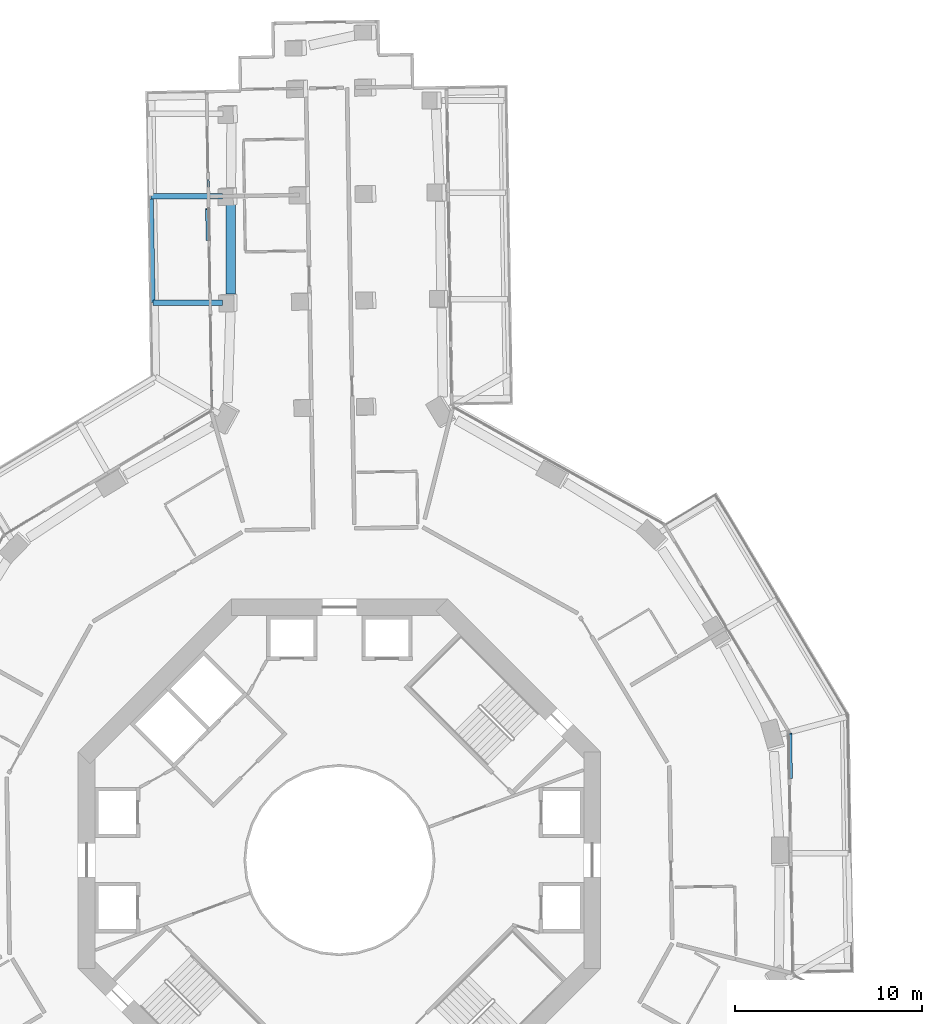
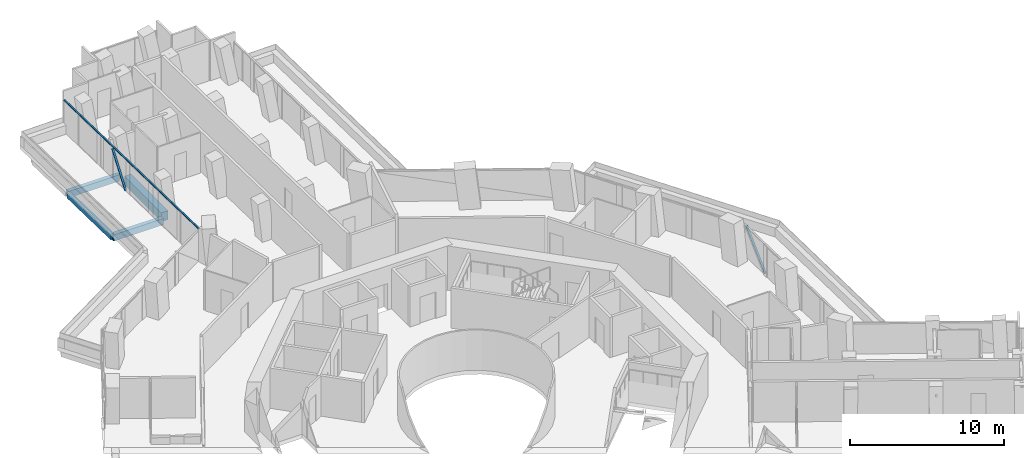
# One storey, part 8 of 25: 4 beams, 3 members, 2 elements without a shape of their own.
"""IFC4 building model written with IfcOpenShell, lengths in metres."""

from ifc_helpers import new_model, si_unit, direction, frame, origin, origin_2d, place, context, subcontext, project, spatial, rectangle, extrude, material, layer, layer_set, material_profile, profile_set, type_object, element, aggregate, save


model = new_model("IFC4")

# Units and contexts
model_context = context("Model", 3, precision=1e-05, world=origin(), true_north=direction((0.0, 1.0)))
body_context = subcontext(model_context, "Body", "Model", "MODEL_VIEW")
ifc_project = project(units=[si_unit("LENGTHUNIT", "METRE"), si_unit("AREAUNIT", "SQUARE_METRE"), si_unit("VOLUMEUNIT", "CUBIC_METRE"), si_unit("PLANEANGLEUNIT", "RADIAN"), si_unit("MASSUNIT", "GRAM", prefix="KILO")], contexts=[model_context])

# Site, building, storey
site_placement = place(None, origin())
site = spatial("IfcSite", under=ifc_project, at=site_placement, CompositionType="ELEMENT")
building_placement = place(site_placement, origin())
building = spatial("IfcBuilding", under=site, at=building_placement, Name="Verdalira Terraces Hotel", CompositionType="ELEMENT")
storey_placement = place(building_placement, frame((0.0, 0.0, 39.0)))
storey = spatial("IfcBuildingStorey", under=building, at=storey_placement, Name="L07", CompositionType="ELEMENT", Elevation=39.0)

# Beams
ifc_material_1 = material(Name="Concrete C40", Category="concrete")
ifc_material_profile_1 = material_profile(ifc_material_1, rectangle(XDim=0.300049, YDim=0.5, at=origin_2d()), Name="RC 300X500")
ifc_profile_set_1 = profile_set([ifc_material_profile_1], Name="Concrete C40")
beam_type_1 = type_object("IfcBeamType", Name="Balcony cantilever beam RC 300X500 C40", PredefinedType="BEAM", material=ifc_profile_set_1)
beam_1_placement = place(storey_placement, frame((-6.26001, 35.582764, -0.560059), z_axis=(-1.0, 0.0, 0.0), x_axis=(0.0, -1.0, 0.0)))
element("IfcBeam", 1, at=beam_1_placement, inside=storey, type_object=beam_type_1, Name="Balcony cantilever beam R10-5", PredefinedType="BEAM", context=body_context, shape_type="SweptSolid", body=[
    extrude(rectangle(XDim=0.300049, YDim=0.5, at=origin_2d()), origin(), (0.0, 0.0, 1.0), 3.837646),
])
beam_2_placement = place(storey_placement, frame((-6.260254, 29.875732, -0.560059), z_axis=(-1.0, 0.0, 0.0), x_axis=(0.0, -1.0, 0.0)))
element("IfcBeam", 2, at=beam_2_placement, inside=storey, type_object=beam_type_1, Name="Balcony cantilever beam R10-6", PredefinedType="BEAM", context=body_context, shape_type="SweptSolid", body=[
    extrude(rectangle(XDim=0.300049, YDim=0.5, at=origin_2d()), origin(), (0.0, 0.0, 1.0), 3.741699),
])
ifc_material_2 = material(Name="Concrete C40", Category="concrete")
ifc_material_profile_2 = material_profile(ifc_material_2, rectangle(XDim=0.25, YDim=0.449951, at=origin_2d()), Name="RC 250X450")
ifc_profile_set_2 = profile_set([ifc_material_profile_2], Name="Concrete C40")
beam_type_2 = type_object("IfcBeamType", Name="Balcony edge beam RC 250X450 C40", PredefinedType="BEAM", material=ifc_profile_set_2)
beam_3_placement = place(storey_placement, frame((-10.095215, 35.432617, -0.534912), z_axis=(0.016780731, -0.999859194, 0.0), x_axis=(0.999859194, 0.016780731, 0.0)))
element("IfcBeam", 3, at=beam_3_placement, inside=storey, type_object=beam_type_2, Name="Balcony edge beam R10-4", PredefinedType="BEAM", context=body_context, shape_type="SweptSolid", body=[
    extrude(rectangle(XDim=0.25, YDim=0.449951, at=origin_2d()), origin(), (0.0, 0.0, 1.0), 5.557617),
])

# Curtain wall, members
ifc_material_3 = material(Name="Clear glass", Category="glass")
ifc_layer_1 = layer(ifc_material_3, 0.14990234375)
ifc_layer_set_1 = layer_set([ifc_layer_1], Name="CW2 curtain wall")
curtain_wall_type_1 = type_object("IfcCurtainWallType", Name="CW2 curtain wall", PredefinedType="NOTDEFINED", material=ifc_layer_set_1)
curtain_wall_1_placement = place(storey_placement, origin())
curtain_wall_1 = element("IfcCurtainWall", 4, at=curtain_wall_1_placement, inside=storey, type_object=curtain_wall_type_1, Name="CW2 curtain wall L07 edge 10", PredefinedType="NOTDEFINED")
ifc_material_4 = material(Name="Terracotta frame", Category="masonry")
ifc_material_profile_3 = material_profile(ifc_material_4, rectangle(XDim=0.11499, YDim=0.064941, at=origin_2d()), Name="TR 65x115")
ifc_profile_set_3 = profile_set([ifc_material_profile_3], Name="Terracotta frame")
member_type_1 = type_object("IfcMemberType", Name="CW2 transom 65x115", PredefinedType="USERDEFINED", material=ifc_profile_set_3)
member_1_placement = place(storey_placement, frame((-7.114746, 41.111816, 2.45752), z_axis=(0.016748985, -0.999859726, 0.0), x_axis=(0.999859726, 0.016748985, 0.0)))
member_1 = element("IfcMember", 5, at=member_1_placement, type_object=member_type_1, Name="CW2 transom", ObjectType="TRANSOM", PredefinedType="USERDEFINED", context=body_context, shape_type="SweptSolid", body=[
    extrude(rectangle(XDim=0.11499, YDim=0.064941, at=origin_2d()), origin(), (0.0, 0.0, 1.0), 16.967041),
])
ifc_material_5 = material(Name="Terracotta frame", Category="masonry")
ifc_material_profile_4 = material_profile(ifc_material_5, rectangle(XDim=0.149902, YDim=0.060059, at=origin_2d()), Name="GB 60x150")
ifc_profile_set_4 = profile_set([ifc_material_profile_4], Name="Terracotta frame")
member_type_2 = type_object("IfcMemberType", Name="Diagonal glazing bar 60x150", PredefinedType="USERDEFINED", material=ifc_profile_set_4)
member_2_placement = place(storey_placement, frame((-7.101807, 34.899414, 2.388916), z_axis=(0.00972291, -0.579570012, -0.814864446), x_axis=(0.999859311, 0.016773716, 0.0)))
member_2 = element("IfcMember", 6, at=member_2_placement, type_object=member_type_2, Name="Diagonal glazing bar", ObjectType="GLAZING BAR", PredefinedType="USERDEFINED", context=body_context, shape_type="SweptSolid", body=[
    extrude(rectangle(XDim=0.149902, YDim=0.060059, at=origin_2d()), origin(), (0.0, 0.0, 1.0), 2.887695),
])
aggregate(curtain_wall_1, [member_1, member_2])

# Curtain wall, member
ifc_material_6 = material(Name="Clear glass", Category="glass")
ifc_layer_2 = layer(ifc_material_6, 0.14990234375)
ifc_layer_set_2 = layer_set([ifc_layer_2], Name="CW1 curtain wall")
curtain_wall_type_2 = type_object("IfcCurtainWallType", Name="CW1 curtain wall", PredefinedType="NOTDEFINED", material=ifc_layer_set_2)
curtain_wall_2_placement = place(storey_placement, origin())
curtain_wall_2 = element("IfcCurtainWall", 7, at=curtain_wall_2_placement, inside=storey, type_object=curtain_wall_type_2, Name="CW1 curtain wall L07 edge 39", PredefinedType="NOTDEFINED")
member_3_placement = place(storey_placement, frame((24.202148, 4.389404, 0.022705), z_axis=(-0.011862596, 0.709079448, 0.705028805), x_axis=(-0.99986009, -0.016727232, 0.0)))
member_3 = element("IfcMember", 8, at=member_3_placement, type_object=member_type_2, Name="Diagonal glazing bar", ObjectType="GLAZING BAR", PredefinedType="USERDEFINED", context=body_context, shape_type="SweptSolid", body=[
    extrude(rectangle(XDim=0.149902, YDim=0.060059, at=origin_2d()), origin(), (0.0, 0.0, 1.0), 3.375244),
])
aggregate(curtain_wall_2, [member_3])

# Beam
ifc_material_7 = material(Name="Concrete C70", Category="concrete")
ifc_material_profile_5 = material_profile(ifc_material_7, rectangle(XDim=0.5, YDim=0.699951, at=origin_2d()), Name="RC 500X700")
ifc_profile_set_5 = profile_set([ifc_material_profile_5], Name="Concrete C70")
beam_type_3 = type_object("IfcBeamType", Name="Spandrel beam RC 500X700 C70", PredefinedType="SPANDREL", material=ifc_profile_set_5)
beam_4_placement = place(storey_placement, frame((-5.818604, 35.139893, -0.659912), z_axis=(-0.001219078, -0.999999257, 0.0), x_axis=(0.999999257, -0.001219078, 0.0)))
element("IfcBeam", 9, at=beam_4_placement, inside=storey, type_object=beam_type_3, Name="Spandrel beam B06", PredefinedType="SPANDREL", context=body_context, shape_type="SweptSolid", body=[
    extrude(rectangle(XDim=0.5, YDim=0.699951, at=origin_2d()), origin(), (0.0, 0.0, 1.0), 4.806396),
])

save(model, "model.ifc")
